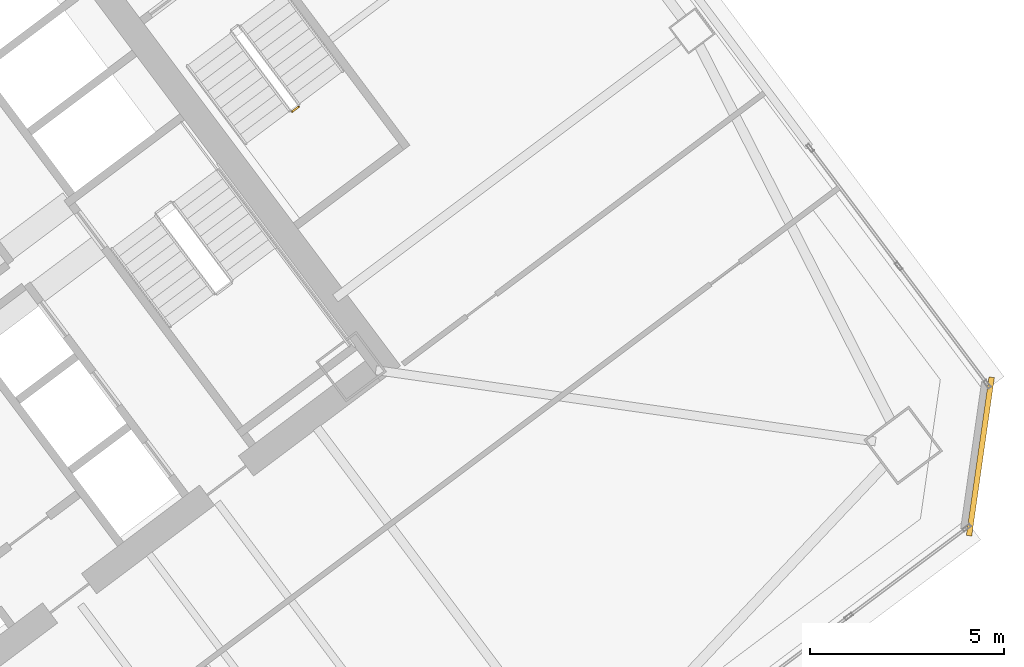
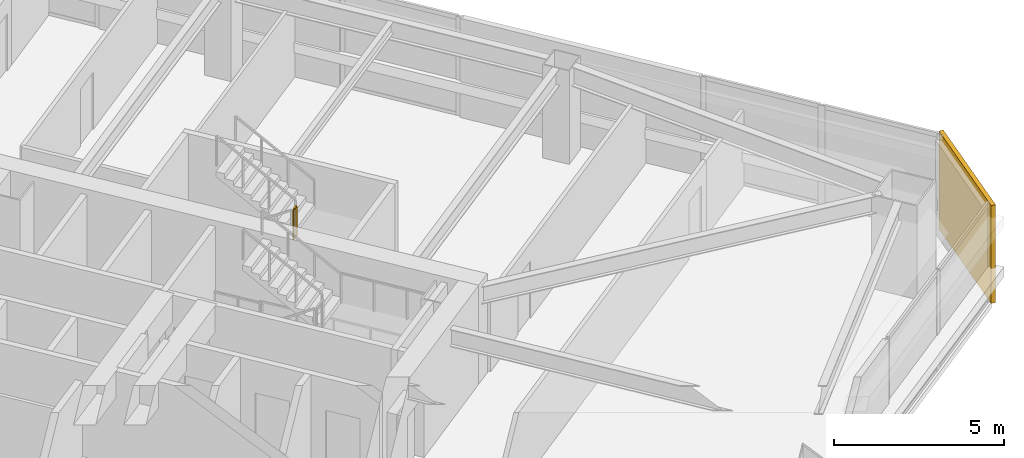
# One storey, part 42 of 44: 1 covering, 1 railing.
"""IFC4 building model written with IfcOpenShell, lengths in metres."""

from ifc_helpers import new_model, si_unit, direction, frame, origin, origin_2d, place, context, subcontext, project, spatial, rectangle, extrude, material, layer, layer_set, type_object, element, save


model = new_model("IFC4")

# Units and contexts
model_context = context("Model", 3, precision=1e-05, world=origin(), true_north=direction((0.0, 1.0)))
body_context = subcontext(model_context, "Body", "Model", "MODEL_VIEW")
ifc_project = project(units=[si_unit("LENGTHUNIT", "METRE"), si_unit("AREAUNIT", "SQUARE_METRE"), si_unit("VOLUMEUNIT", "CUBIC_METRE"), si_unit("PLANEANGLEUNIT", "RADIAN"), si_unit("MASSUNIT", "GRAM", prefix="KILO")], contexts=[model_context])

# Site, building, storey
site_placement = place(None, origin())
site = spatial("IfcSite", under=ifc_project, at=site_placement, CompositionType="ELEMENT")
building_placement = place(site_placement, origin())
building = spatial("IfcBuilding", under=site, at=building_placement, Name="Tashvorn Skyway Center", CompositionType="ELEMENT")
storey_placement = place(building_placement, frame((0.0, 0.0, 95.60009765625)))
storey = spatial("IfcBuildingStorey", under=building, at=storey_placement, Name="L25", CompositionType="ELEMENT", Elevation=95.60009765625)

# Covering
ifc_material_1 = material(Name="Precast concrete C40/50", Category="concrete")
ifc_layer = layer(ifc_material_1, 0.35009765625)
ifc_layer_set = layer_set([ifc_layer], Name="Precast concrete C40/50")
covering_type = type_object("IfcCoveringType", Name="COV-STONE-TRIM", PredefinedType="CLADDING", material=ifc_layer_set)
covering_placement = place(storey_placement, frame((140.068115234375, 28.27587890625, 0.02001953125), z_axis=(0.0, 0.0, 1.0), x_axis=(0.141421350118, 0.989949494535, 0.0)))
element("IfcCovering", 1, at=covering_placement, inside=storey, type_object=covering_type, Name="Tower 2 L25 SE Mojave Limestone Corner Quoin", PredefinedType="CLADDING", context=body_context, shape_type="SweptSolid", body=[
    extrude(rectangle(XDim=4.119873046875, YDim=0.139892578125, at=origin_2d()), origin(), (0.0, 0.0, 1.0), 3.510009765625),
])

# Railing
ifc_material_2 = material(Name="Painted galvanized steel S355", Category="steel")
railing_type = type_object("IfcRailingType", Name="RAIL-STGUARD-1100", PredefinedType="GUARDRAIL", material=ifc_material_2)
railing_placement = place(storey_placement, frame((122.35791015625, 37.156005859375, 1.77490234375)))
element("IfcRailing", 2, at=railing_placement, inside=storey, type_object=railing_type, Name="L25 ST-T2-3 stair guard 2", PredefinedType="GUARDRAIL", context=body_context, shape_type="SweptSolid", body=[
    extrude(rectangle(XDim=0.048095703125, YDim=0.048095703125, at=origin_2d()), frame((0.0, 0.0, 1.076171875), z_axis=(0.800585412921, 0.599218655098, 0.0), x_axis=(-0.599218655098, 0.800585412921, 0.0)), (0.0, 0.0, 1.0), 0.199951171875),
    extrude(rectangle(XDim=0.0419921875, YDim=0.0419921875, at=origin_2d()), origin(), (0.0, 0.0, 1.0), 1.052001953125),
    extrude(rectangle(XDim=0.0419921875, YDim=0.0419921875, at=origin_2d()), frame((0.16015625, 0.119873046875, 0.0)), (0.0, 0.0, 1.0), 1.052001953125),
])

save(model, "model.ifc")
